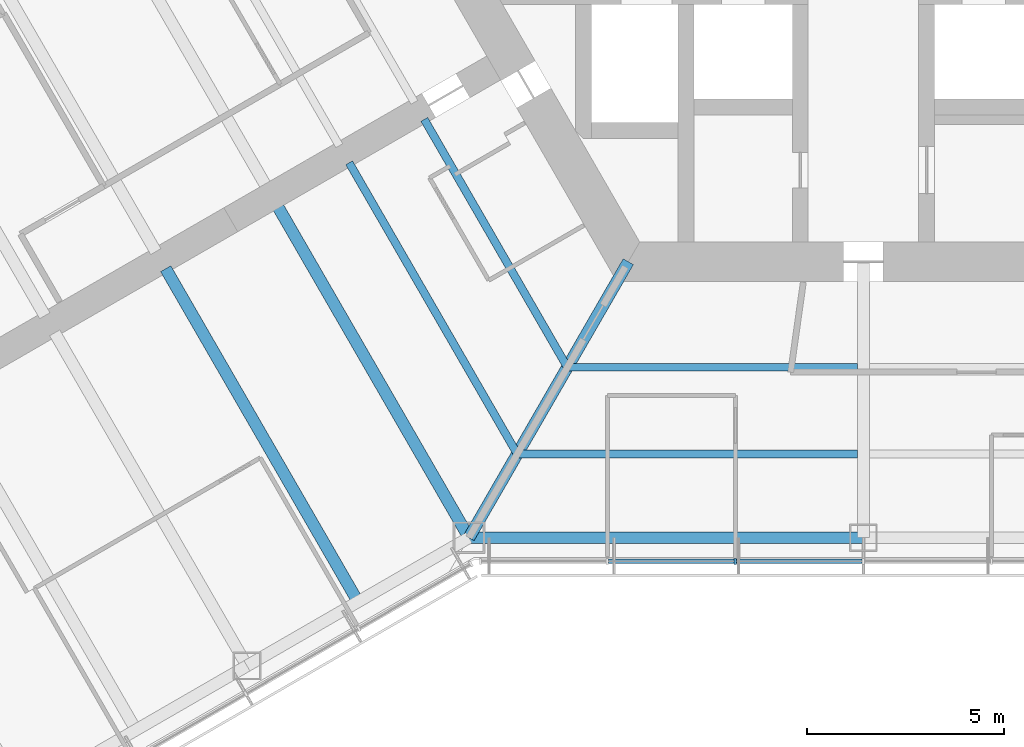
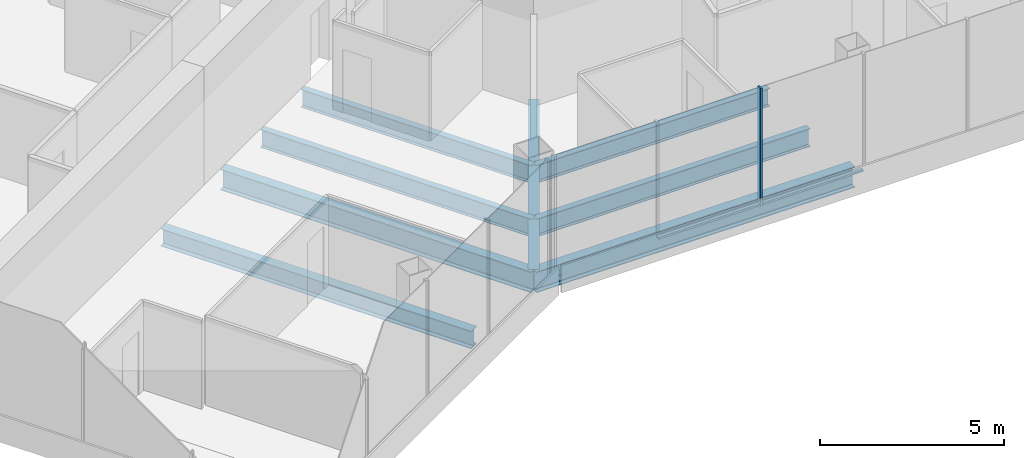
# One storey, part 3 of 19: 8 beams, 3 members, 1 element without a shape of its own.
"""IFC4 building model written with IfcOpenShell, lengths in metres."""

from ifc_helpers import new_model, si_unit, direction, frame, origin, origin_2d, place, context, subcontext, project, spatial, rectangle, i_section, extrude, material, material_profile, profile_set, type_object, element, aggregate, save


model = new_model("IFC4")

# Units and contexts
model_context = context("Model", 3, precision=1e-05, world=origin(), true_north=direction((0.0, 1.0)))
body_context = subcontext(model_context, "Body", "Model", "MODEL_VIEW")
ifc_project = project(units=[si_unit("LENGTHUNIT", "METRE"), si_unit("AREAUNIT", "SQUARE_METRE"), si_unit("VOLUMEUNIT", "CUBIC_METRE"), si_unit("PLANEANGLEUNIT", "RADIAN"), si_unit("MASSUNIT", "GRAM", prefix="KILO")], contexts=[model_context])

# Site, building, storey
site_placement = place(None, origin())
site = spatial("IfcSite", under=ifc_project, at=site_placement, CompositionType="ELEMENT")
building_placement = place(site_placement, origin())
building = spatial("IfcBuilding", under=site, at=building_placement, Name="Kasaneha Research Tower", CompositionType="ELEMENT")
storey_placement = place(building_placement, frame((0.0, 0.0, 164.300048828125)))
storey = spatial("IfcBuildingStorey", under=building, at=storey_placement, Name="L41", CompositionType="ELEMENT", Elevation=164.300048828125)

# Beams
ifc_material_1 = material(Name="Steel SN490B", Category="steel")
ifc_material_profile_1 = material_profile(ifc_material_1, i_section(OverallWidth=0.199951171875, OverallDepth=0.60009765625, WebThickness=0.010986328125, FlangeThickness=0.01708984375, FilletRadius=0.012939453125, at=origin_2d()), Name="H-600x200x11x17")
ifc_profile_set_1 = profile_set([ifc_material_profile_1], Name="Steel SN490B")
beam_type_1 = type_object("IfcBeamType", Name="B1-3 secondary beam H-600x200x11x17", PredefinedType="JOIST", material=ifc_profile_set_1)
beam_1_placement = place(storey_placement, frame((-7.505615234375, -13.0, -0.449951171875), z_axis=(-0.499993340521, 0.866029248602, 0.0), x_axis=(-0.866029248602, -0.499993340521, 0.0)))
element("IfcBeam", 1, at=beam_1_placement, inside=storey, type_object=beam_type_1, Name="Secondary beam RS210R1 L41", PredefinedType="JOIST", context=body_context, shape_type="SweptSolid", body=[
    extrude(i_section(OverallWidth=0.199951171875, OverallDepth=0.60009765625, WebThickness=0.010986328125, FlangeThickness=0.01708984375, FilletRadius=0.012939453125, at=origin_2d()), origin(), (0.0, 0.0, 1.0), 7.25537109375),
])
beam_2_placement = place(storey_placement, frame((-8.775634765625, -15.199951171875, -0.449951171875), z_axis=(-0.500004205306, 0.866022975836, 0.0), x_axis=(-0.866022975836, -0.500004205306, 0.0)))
element("IfcBeam", 2, at=beam_2_placement, inside=storey, type_object=beam_type_1, Name="Secondary beam RS210R2 L41", PredefinedType="JOIST", context=body_context, shape_type="SweptSolid", body=[
    extrude(i_section(OverallWidth=0.199951171875, OverallDepth=0.60009765625, WebThickness=0.010986328125, FlangeThickness=0.01708984375, FilletRadius=0.012939453125, at=origin_2d()), origin(), (0.0, 0.0, 1.0), 8.52587890625),
])
beam_3_placement = place(storey_placement, frame((-7.505615234375, -13.0, -0.449951171875), z_axis=(1.0, 0.0, 0.0), x_axis=(0.0, 1.0, 0.0)))
element("IfcBeam", 3, at=beam_3_placement, inside=storey, type_object=beam_type_1, Name="Secondary beam RS270L1 L41", PredefinedType="JOIST", context=body_context, shape_type="SweptSolid", body=[
    extrude(i_section(OverallWidth=0.199951171875, OverallDepth=0.60009765625, WebThickness=0.010986328125, FlangeThickness=0.01708984375, FilletRadius=0.012939453125, at=origin_2d()), origin(), (0.0, 0.0, 1.0), 7.355712890625),
])
beam_4_placement = place(storey_placement, frame((-8.775634765625, -15.199951171875, -0.449951171875), z_axis=(1.0, 0.0, 0.0), x_axis=(0.0, 1.0, 0.0)))
element("IfcBeam", 4, at=beam_4_placement, inside=storey, type_object=beam_type_1, Name="Secondary beam RS270L2 L41", PredefinedType="JOIST", context=body_context, shape_type="SweptSolid", body=[
    extrude(i_section(OverallWidth=0.199951171875, OverallDepth=0.60009765625, WebThickness=0.010986328125, FlangeThickness=0.01708984375, FilletRadius=0.012939453125, at=origin_2d()), origin(), (0.0, 0.0, 1.0), 8.625732421875),
])
ifc_material_2 = material(Name="Steel SN490B", Category="steel")
ifc_material_profile_2 = material_profile(ifc_material_2, i_section(OverallWidth=0.300048828125, OverallDepth=0.58203125, WebThickness=0.011962890625, FlangeThickness=0.01708984375, FilletRadius=0.012939453125, at=origin_2d()), Name="H-582x300x12x17")
ifc_profile_set_2 = profile_set([ifc_material_profile_2], Name="Steel SN490B")
beam_type_2 = type_object("IfcBeamType", Name="B2-3 secondary beam H-582x300x12x17", PredefinedType="JOIST", material=ifc_profile_set_2)
beam_5_placement = place(storey_placement, frame((-12.814697265625, -18.945556640625, -0.441162109375), z_axis=(-0.499995560238, 0.866027967067, 0.0), x_axis=(-0.866027967067, -0.499995560238, 0.0)))
element("IfcBeam", 5, at=beam_5_placement, inside=storey, type_object=beam_type_2, Name="Secondary beam WBBN1 L41", PredefinedType="JOIST", context=body_context, shape_type="SweptSolid", body=[
    extrude(i_section(OverallWidth=0.300048828125, OverallDepth=0.58203125, WebThickness=0.011962890625, FlangeThickness=0.01708984375, FilletRadius=0.012939453125, at=origin_2d()), origin(), (0.0, 0.0, 1.0), 9.75),
])

# Curtain wall, members
ifc_material_3 = material(Name="Glass and aluminium", Category="aluminium")
curtain_wall_type = type_object("IfcCurtainWallType", Name="Mid-rise office curtain wall", PredefinedType="USERDEFINED", material=ifc_material_3)
curtain_wall_placement = place(storey_placement, origin())
curtain_wall = element("IfcCurtainWall", 6, at=curtain_wall_placement, inside=storey, type_object=curtain_wall_type, Name="CW-O2 L41 run 01a", ObjectType="UNITISED CURTAIN WALL", PredefinedType="USERDEFINED")
ifc_material_4 = material(Name="Aluminium 6063-T6", Category="aluminium")
ifc_material_profile_3 = material_profile(ifc_material_4, rectangle(XDim=0.06005859375, YDim=0.14990234375, at=origin_2d()), Name="CW-O2 mullion 60x150")
ifc_profile_set_3 = profile_set([ifc_material_profile_3], Name="Aluminium 6063-T6")
member_type_1 = type_object("IfcMemberType", Name="CW-O2 mullion", PredefinedType="MULLION", material=ifc_profile_set_3)
member_1_placement = place(storey_placement, frame((-3.246337890625, -17.92041015625, 0.0), z_axis=(0.0, 0.0, 1.0), x_axis=(1.0, 0.0, 0.0)))
member_1 = element("IfcMember", 7, at=member_1_placement, type_object=member_type_1, Name="CW-O2 mullion 3", PredefinedType="MULLION", context=body_context, shape_type="SweptSolid", body=[
    extrude(rectangle(XDim=0.06005859375, YDim=0.14990234375, at=origin_2d()), origin(), (0.0, 0.0, 1.0), 3.89990234375),
])
ifc_material_5 = material(Name="Aluminium 6063-T6", Category="aluminium")
ifc_material_profile_4 = material_profile(ifc_material_5, rectangle(XDim=0.110107421875, YDim=0.06005859375, at=origin_2d()), Name="CW-O2 transom 110x60")
ifc_profile_set_4 = profile_set([ifc_material_profile_4], Name="Aluminium 6063-T6")
member_type_2 = type_object("IfcMemberType", Name="CW-O2 transom", PredefinedType="USERDEFINED", material=ifc_profile_set_4)
member_2_placement = place(storey_placement, frame((-6.462890625, -17.92041015625, 0.030029296875), z_axis=(1.0, 0.0, 0.0), x_axis=(0.0, 1.0, 0.0)))
member_2 = element("IfcMember", 8, at=member_2_placement, type_object=member_type_2, Name="CW-O2 transom 2", ObjectType="TRANSOM", PredefinedType="USERDEFINED", context=body_context, shape_type="SweptSolid", body=[
    extrude(rectangle(XDim=0.110107421875, YDim=0.06005859375, at=origin_2d()), origin(), (0.0, 0.0, 1.0), 3.1865234375),
])
member_3_placement = place(storey_placement, frame((-3.21630859375, -17.92041015625, 0.030029296875), z_axis=(1.0, 0.0, 0.0), x_axis=(0.0, 1.0, 0.0)))
member_3 = element("IfcMember", 9, at=member_3_placement, type_object=member_type_2, Name="CW-O2 transom 3", ObjectType="TRANSOM", PredefinedType="USERDEFINED", context=body_context, shape_type="SweptSolid", body=[
    extrude(rectangle(XDim=0.110107421875, YDim=0.06005859375, at=origin_2d()), origin(), (0.0, 0.0, 1.0), 3.186279296875),
])
aggregate(curtain_wall, [member_1, member_2, member_3])

# Beams
ifc_material_6 = material(Name="Steel SN490B", Category="steel")
ifc_material_profile_5 = material_profile(ifc_material_6, i_section(OverallWidth=0.300048828125, OverallDepth=0.699951171875, WebThickness=0.012939453125, FlangeThickness=0.02392578125, FilletRadius=0.01806640625, at=origin_2d()), Name="H-700x300x13x24")
ifc_profile_set_5 = profile_set([ifc_material_profile_5], Name="Steel SN490B")
beam_type_3 = type_object("IfcBeamType", Name="G1-3 radial girder H-700x300x13x24", PredefinedType="BEAM", material=ifc_profile_set_5)
beam_6_placement = place(storey_placement, frame((-5.961181640625, -10.324951171875, -0.5), z_axis=(-0.49999105496, -0.866030568144, 0.0), x_axis=(0.866030568144, -0.49999105496, 0.0)))
element("IfcBeam", 10, at=beam_6_placement, inside=storey, type_object=beam_type_3, Name="Radial girder RV240 L41", PredefinedType="BEAM", context=body_context, shape_type="SweptSolid", body=[
    extrude(i_section(OverallWidth=0.300048828125, OverallDepth=0.699951171875, WebThickness=0.012939453125, FlangeThickness=0.02392578125, FilletRadius=0.01806640625, at=origin_2d()), origin(), (0.0, 0.0, 1.0), 8.077880859375),
])
ifc_material_7 = material(Name="Steel SN490B", Category="steel")
ifc_material_profile_6 = material_profile(ifc_material_7, i_section(OverallWidth=0.300048828125, OverallDepth=0.69189453125, WebThickness=0.012939453125, FlangeThickness=0.02001953125, FilletRadius=0.01806640625, at=origin_2d()), Name="H-692x300x13x20")
ifc_profile_set_6 = profile_set([ifc_material_profile_6], Name="Steel SN490B")
beam_type_4 = type_object("IfcBeamType", Name="G3-3 plate edge girder H-692x300x13x20", PredefinedType="BEAM", material=ifc_profile_set_6)
beam_7_placement = place(storey_placement, frame((-10.0, -17.320556640625, -0.49609375), z_axis=(-0.499995560238, 0.866027967067, 0.0), x_axis=(-0.866027967067, -0.499995560238, 0.0)))
element("IfcBeam", 11, at=beam_7_placement, inside=storey, type_object=beam_type_4, Name="Plate edge girder PEBN L41", PredefinedType="BEAM", context=body_context, shape_type="SweptSolid", body=[
    extrude(i_section(OverallWidth=0.300048828125, OverallDepth=0.69189453125, WebThickness=0.012939453125, FlangeThickness=0.02001953125, FilletRadius=0.01806640625, at=origin_2d()), origin(), (0.0, 0.0, 1.0), 9.75),
])
ifc_material_8 = material(Name="Steel SN490B", Category="steel")
ifc_material_profile_7 = material_profile(ifc_material_8, i_section(OverallWidth=0.300048828125, OverallDepth=0.69189453125, WebThickness=0.012939453125, FlangeThickness=0.02001953125, FilletRadius=0.01806640625, at=origin_2d()), Name="H-692x300x13x20")
ifc_profile_set_7 = profile_set([ifc_material_profile_7], Name="Steel SN490B")
beam_type_5 = type_object("IfcBeamType", Name="SB1-3 spandrel beam H-692x300x13x20", PredefinedType="SPANDREL", material=ifc_profile_set_7)
beam_8_placement = place(storey_placement, frame((-10.0, -17.320556640625, -0.49609375), z_axis=(1.0, 0.0, 0.0), x_axis=(0.0, 1.0, 0.0)))
element("IfcBeam", 12, at=beam_8_placement, inside=storey, type_object=beam_type_5, Name="Spandrel beam SR270L L41", PredefinedType="SPANDREL", context=body_context, shape_type="SweptSolid", body=[
    extrude(i_section(OverallWidth=0.300048828125, OverallDepth=0.69189453125, WebThickness=0.012939453125, FlangeThickness=0.02001953125, FilletRadius=0.01806640625, at=origin_2d()), origin(), (0.0, 0.0, 1.0), 10.0),
])

save(model, "model.ifc")
